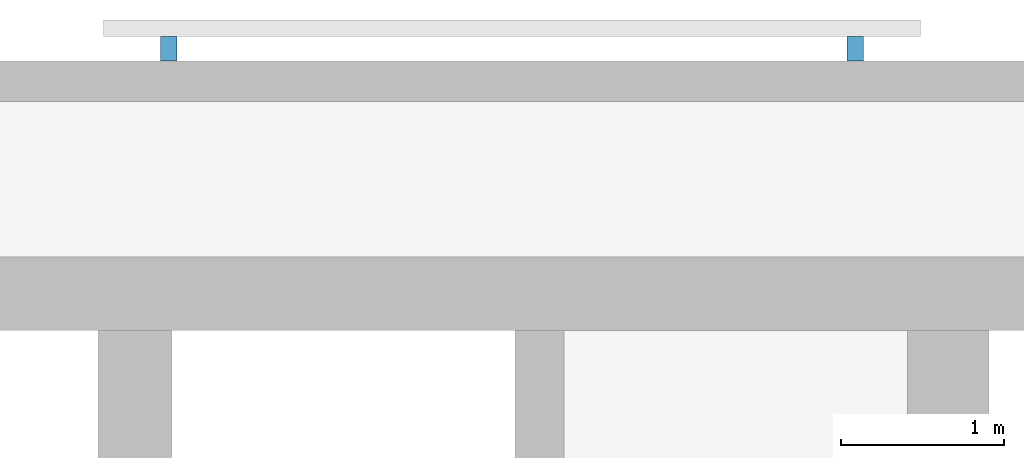
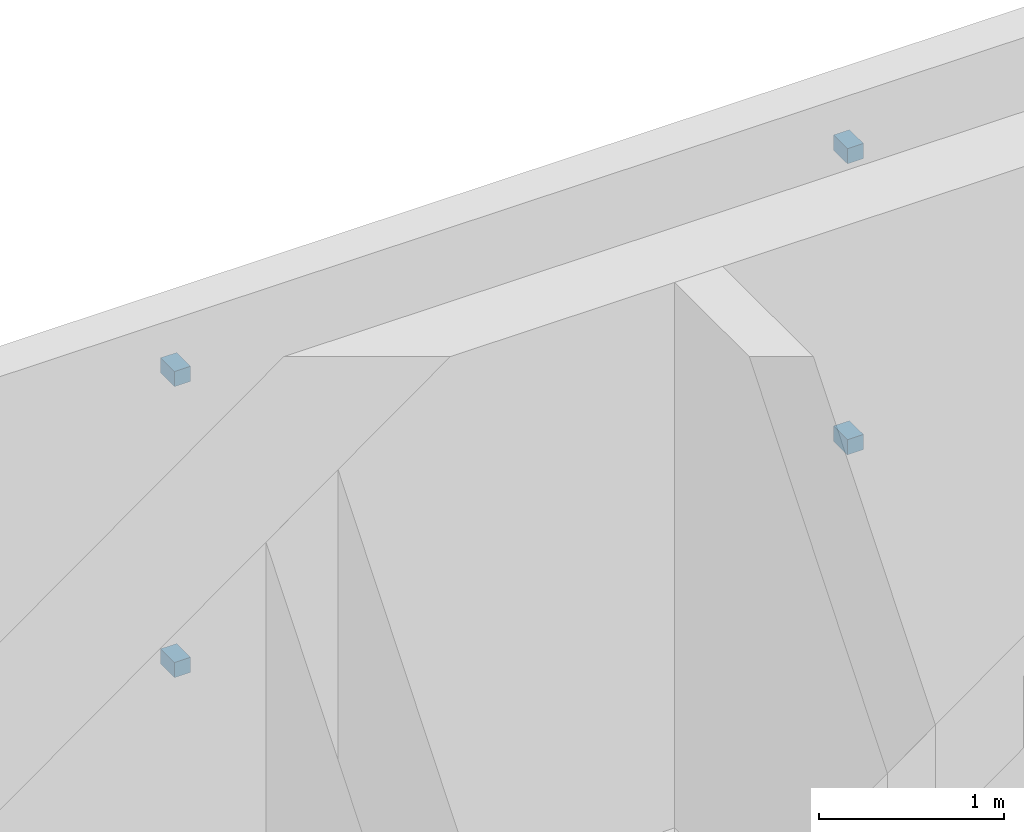
# One storey, part 12 of 15: 4 discrete accessories.
"""IFC4 building model written with IfcOpenShell, lengths in metres."""

from ifc_helpers import new_model, si_unit, direction, frame, origin, origin_2d, place, context, subcontext, project, spatial, rectangle, extrude, material, type_object, element, save


model = new_model("IFC4")

# Units and contexts
model_context = context("Model", 3, precision=1e-05, world=origin(), true_north=direction((0.0, 1.0)))
body_context = subcontext(model_context, "Body", "Model", "MODEL_VIEW")
ifc_project = project(units=[si_unit("LENGTHUNIT", "METRE"), si_unit("AREAUNIT", "SQUARE_METRE"), si_unit("VOLUMEUNIT", "CUBIC_METRE"), si_unit("PLANEANGLEUNIT", "RADIAN"), si_unit("MASSUNIT", "GRAM", prefix="KILO")], contexts=[model_context])

# Site, building, storey
site_placement = place(None, origin())
site = spatial("IfcSite", under=ifc_project, at=site_placement, CompositionType="ELEMENT")
building_placement = place(site_placement, origin())
building = spatial("IfcBuilding", under=site, at=building_placement, Name="Torana Hotel and Residences", CompositionType="ELEMENT")
storey_placement = place(building_placement, frame((0.0, 0.0, 45.60009765625)))
storey = spatial("IfcBuildingStorey", under=building, at=storey_placement, Name="L10", CompositionType="ELEMENT", Elevation=45.60009765625)

# Discrete accessories
ifc_material = material(Name="Steel S355", Category="steel")
discrete_accessory_type = type_object("IfcDiscreteAccessoryType", Name="SCREEN BRACKET 100", PredefinedType="BRACKET", material=ifc_material)
for number, where, z_axis, x_axis, name in (
    (1, (23.681396484375, 1.27490234375, 0.749755859375), (0.0, 0.0, 1.0), (-1.0, 0.0, 0.0), "Screen bracket L10"),
    (2, (23.681396484375, 1.27490234375, 2.669921875), (0.0, 0.0, 1.0), (-1.0, 0.0, 0.0), "Screen bracket L10"),
    (3, (19.4814453125, 1.27490234375, 0.749755859375), (0.0, 0.0, 1.0), (-1.0, 0.0, 0.0), "Screen bracket L10"),
    (4, (19.4814453125, 1.27490234375, 2.669921875), (0.0, 0.0, 1.0), (-1.0, 0.0, 0.0), "Screen bracket L10"),
):
    element("IfcDiscreteAccessory", number, at=place(storey_placement, frame(where, z_axis=z_axis, x_axis=x_axis)), inside=storey, type_object=discrete_accessory_type, Name=name, PredefinedType="BRACKET", context=body_context, shape_type="SweptSolid", body=[
        extrude(rectangle(XDim=0.10009765625, YDim=0.14990234375, at=origin_2d()), origin(), (0.0, 0.0, 1.0), 0.10009765625),
    ])

save(model, "model.ifc")
